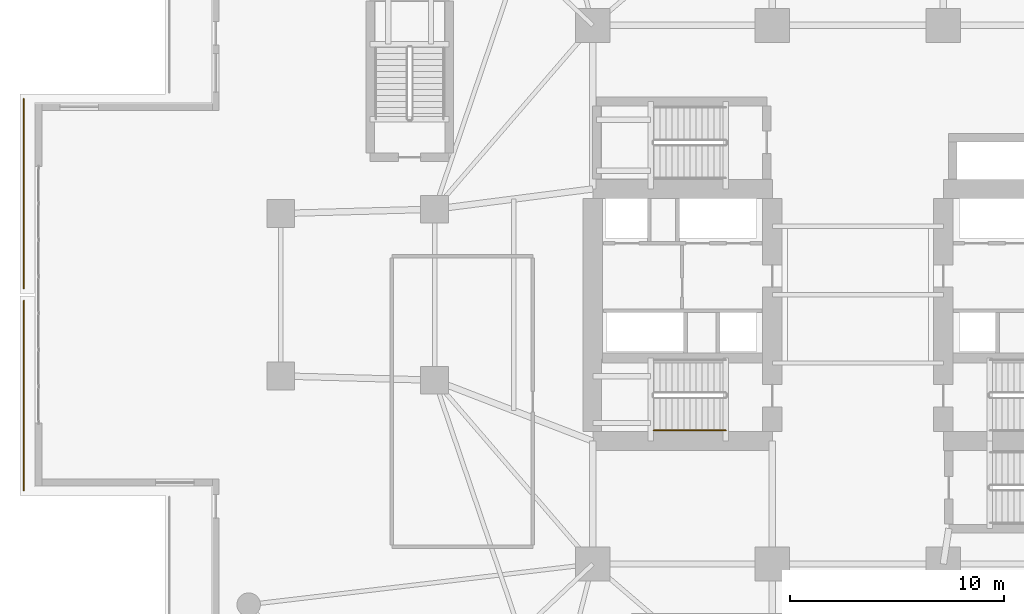
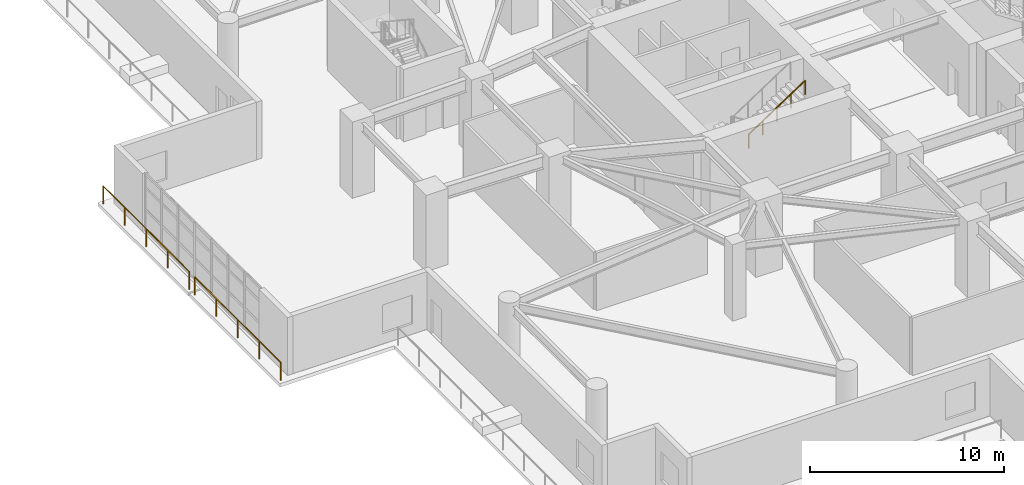
# One storey, part 19 of 23: 3 railings.
"""IFC4 building model written with IfcOpenShell, lengths in metres."""

from ifc_helpers import new_model, si_unit, direction, frame, origin, origin_2d, place, context, subcontext, project, spatial, circle, extrude, material, type_object, element, save


model = new_model("IFC4")

# Units and contexts
model_context = context("Model", 3, precision=1e-05, world=origin(), true_north=direction((0.0, 1.0)))
body_context = subcontext(model_context, "Body", "Model", "MODEL_VIEW")
ifc_project = project(units=[si_unit("LENGTHUNIT", "METRE"), si_unit("AREAUNIT", "SQUARE_METRE"), si_unit("VOLUMEUNIT", "CUBIC_METRE"), si_unit("PLANEANGLEUNIT", "RADIAN"), si_unit("MASSUNIT", "GRAM", prefix="KILO")], contexts=[model_context])

# Site, building, storey
site_placement = place(None, origin())
site = spatial("IfcSite", under=ifc_project, at=site_placement, CompositionType="ELEMENT")
building_placement = place(site_placement, origin())
building = spatial("IfcBuilding", under=site, at=building_placement, Name="Qingluan Cross Belvedere", CompositionType="ELEMENT")
storey_placement = place(building_placement, frame((0.0, 0.0, 5.39990234375)))
storey = spatial("IfcBuildingStorey", under=building, at=storey_placement, Name="L02", CompositionType="ELEMENT", Elevation=5.39990234375)

# Railings
ifc_material_1 = material(Name="Brushed stainless steel tubular handrail", Category="steel")
railing_type_1 = type_object("IfcRailingType", Name="StairPitchHandrail_900", PredefinedType="HANDRAIL", material=ifc_material_1)
railing_placement = place(storey_placement, frame((-9.5400390625, -6.35009765625, 2.584716796875)))
element("IfcRailing", 1, at=railing_placement, inside=storey, type_object=railing_type_1, Name="L02 ST1 stair handrail 2", PredefinedType="HANDRAIL", context=body_context, shape_type="SweptSolid", body=[
    extrude(circle(Radius=0.02392578125, at=origin_2d()), frame((0.0, 0.0, 0.8759765625), z_axis=(0.834876476806, 0.0, 0.550437342915), x_axis=(0.0, 1.0, 0.0)), (0.0, 0.0, 1.0), 4.024658203125),
    extrude(circle(Radius=0.02099609375, at=origin_2d()), origin(), (0.0, 0.0, 1.0), 0.851806640625),
    extrude(circle(Radius=0.02099609375, at=origin_2d()), frame((0.840087890625, 0.0, 0.5537109375)), (0.0, 0.0, 1.0), 0.851806640625),
    extrude(circle(Radius=0.02099609375, at=origin_2d()), frame((1.68017578125, 0.0, 1.107666015625)), (0.0, 0.0, 1.0), 0.851806640625),
    extrude(circle(Radius=0.02099609375, at=origin_2d()), frame((2.52001953125, 0.0, 1.66162109375)), (0.0, 0.0, 1.0), 0.851806640625),
    extrude(circle(Radius=0.02099609375, at=origin_2d()), frame((3.360107421875, 0.0, 2.21533203125)), (0.0, 0.0, 1.0), 0.851806640625),
])
ifc_material_2 = material(Name="Laminated glass and stainless steel balustrade", Category="steel")
railing_type_2 = type_object("IfcRailingType", Name="TerraceGuardBalustrade_1150", PredefinedType="BALUSTRADE", material=ifc_material_2)
for number, where, name in (
    (2, (-39.02001953125, 0.2900390625, 0.0), "Terrace guard L02-1"),
    (3, (-39.02001953125, -9.159912109375, 0.0), "Terrace guard L02-6"),
):
    element("IfcRailing", number, at=place(storey_placement, frame(where)), inside=storey, type_object=railing_type_2, Name=name, PredefinedType="BALUSTRADE", context=body_context, shape_type="SweptSolid", body=[
        extrude(circle(Radius=0.02392578125, at=origin_2d()), frame((0.0, 0.0, 1.1259765625), z_axis=(0.0, 1.0, 0.0), x_axis=(-1.0, 0.0, 0.0)), (0.0, 0.0, 1.0), 8.869873046875),
        extrude(circle(Radius=0.02099609375, at=origin_2d()), origin(), (0.0, 0.0, 1.0), 1.101806640625),
        extrude(circle(Radius=0.02099609375, at=origin_2d()), frame((0.0, 2.217529296875, 0.0)), (0.0, 0.0, 1.0), 1.101806640625),
        extrude(circle(Radius=0.02099609375, at=origin_2d()), frame((0.0, 4.43505859375, 0.0)), (0.0, 0.0, 1.0), 1.101806640625),
        extrude(circle(Radius=0.02099609375, at=origin_2d()), frame((0.0, 6.65234375, 0.0)), (0.0, 0.0, 1.0), 1.101806640625),
        extrude(circle(Radius=0.02099609375, at=origin_2d()), frame((0.0, 8.869873046875, 0.0)), (0.0, 0.0, 1.0), 1.101806640625),
    ])

save(model, "model.ifc")
